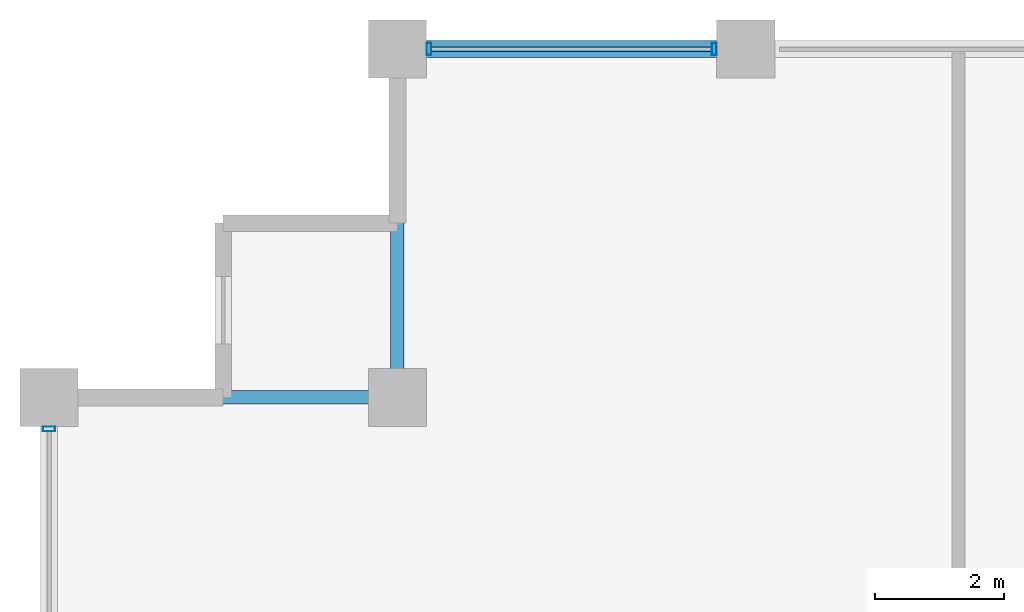
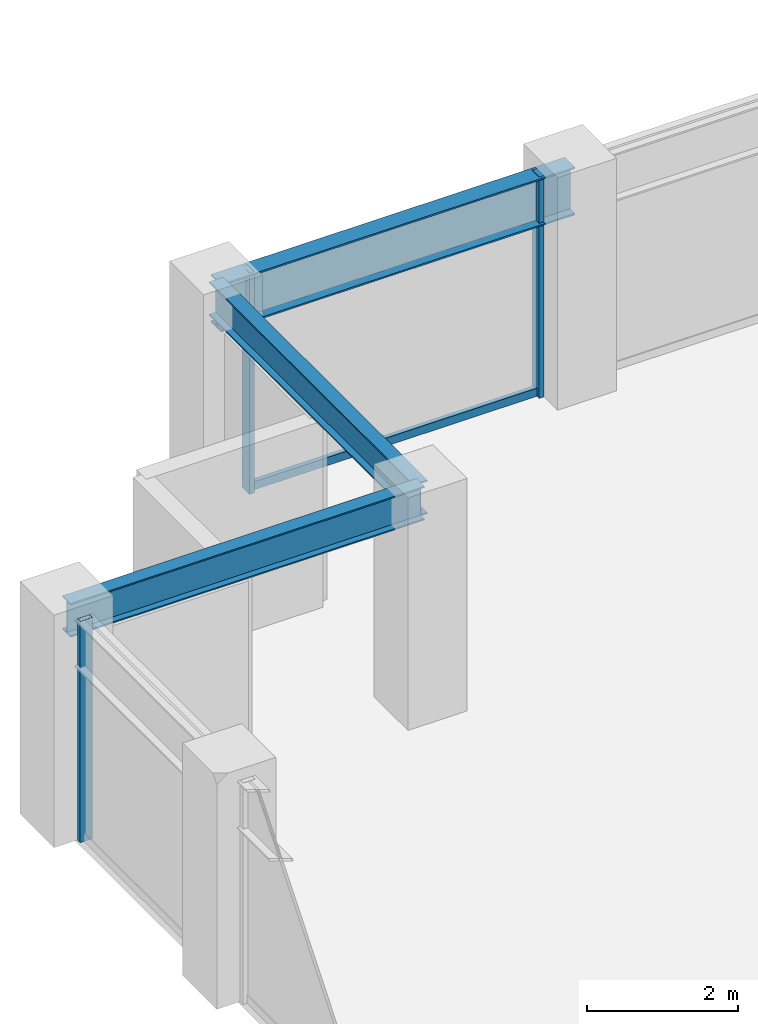
# One storey, part 18 of 32: 4 members, 3 beams, 2 elements without a shape of their own.
"""IFC4 building model written with IfcOpenShell, lengths in metres."""

from ifc_helpers import new_model, si_unit, direction, frame, origin, origin_2d, place, context, subcontext, project, spatial, hollow_rectangle, i_section, extrude, material, layer, layer_set, material_profile, profile_set, type_object, element, aggregate, save


model = new_model("IFC4")

# Units and contexts
model_context = context("Model", 3, precision=1e-05, world=origin(), true_north=direction((0.0, 1.0)))
body_context = subcontext(model_context, "Body", "Model", "MODEL_VIEW")
ifc_project = project(units=[si_unit("LENGTHUNIT", "METRE"), si_unit("AREAUNIT", "SQUARE_METRE"), si_unit("VOLUMEUNIT", "CUBIC_METRE"), si_unit("PLANEANGLEUNIT", "RADIAN"), si_unit("MASSUNIT", "GRAM", prefix="KILO")], contexts=[model_context])

# Site, building, storey
site_placement = place(None, origin())
site = spatial("IfcSite", under=ifc_project, at=site_placement, CompositionType="ELEMENT")
building_placement = place(site_placement, origin())
building = spatial("IfcBuilding", under=site, at=building_placement, Name="Surkhivell Harbour Commons", CompositionType="ELEMENT")
storey_placement = place(building_placement, frame((0.0, 0.0, 208.5)))
storey = spatial("IfcBuildingStorey", under=building, at=storey_placement, Name="L54", CompositionType="ELEMENT", Elevation=208.5)

# Beams
ifc_material_1 = material(Name="Steel S355", Category="steel")
ifc_material_profile_1 = material_profile(ifc_material_1, i_section(OverallWidth=0.2119140625, OverallDepth=0.5439453125, WebThickness=0.0126953125, FlangeThickness=0.021240234375, at=origin_2d()), Name="UB533x210x122")
ifc_profile_set_1 = profile_set([ifc_material_profile_1], Name="Steel S355")
beam_type_1 = type_object("IfcBeamType", Name="BM-GRD-533A", PredefinedType="BEAM", material=ifc_profile_set_1)
for number, where, z_axis, x_axis, name in (
    (1, (-27.0, 20.5, 3.298095703125), (1.0, 0.0, 0.0), (0.0, 1.0, 0.0), "L54 Floor Girder (-27.0,20.5)"),
    (2, (-21.60009765625, 20.5, 3.298095703125), (0.0, 1.0, 0.0), (-1.0, 0.0, 0.0), "L54 Floor Girder (-21.6,20.5)"),
):
    element("IfcBeam", number, at=place(storey_placement, frame(where, z_axis=z_axis, x_axis=x_axis)), inside=storey, type_object=beam_type_1, Name=name, PredefinedType="BEAM", context=body_context, shape_type="SweptSolid", body=[
        extrude(i_section(OverallWidth=0.2119140625, OverallDepth=0.5439453125, WebThickness=0.0126953125, FlangeThickness=0.021240234375, at=origin_2d()), origin(), (0.0, 0.0, 1.0), 5.39990234375),
    ])
ifc_material_profile_2 = material_profile(ifc_material_1, i_section(OverallWidth=0.26806640625, OverallDepth=0.77001953125, WebThickness=0.015625, FlangeThickness=0.025390625, at=origin_2d()), Name="UB762x267x197")
ifc_profile_set_2 = profile_set([ifc_material_profile_2], Name="Steel S355")
beam_type_2 = type_object("IfcBeamType", Name="BM-SPN-762", PredefinedType="SPANDREL", material=ifc_profile_set_2)
beam_placement = place(storey_placement, frame((-21.60009765625, 25.89990234375, 3.18505859375), z_axis=(1.0, 0.0, 0.0), x_axis=(0.0, 1.0, 0.0)))
element("IfcBeam", 3, at=beam_placement, inside=storey, type_object=beam_type_2, Name="L54 Tube Spandrel (-21.6,25.9)", PredefinedType="SPANDREL", context=body_context, shape_type="SweptSolid", body=[
    extrude(i_section(OverallWidth=0.26806640625, OverallDepth=0.77001953125, WebThickness=0.015625, FlangeThickness=0.025390625, at=origin_2d()), origin(), (0.0, 0.0, 1.0), 5.400146484375),
])

# Curtain wall, members
ifc_material_2 = material(Name="Anodised pale-metal aluminium and insulated glazing", Category="aluminium")
ifc_layer = layer(ifc_material_2, 0.18994140625)
ifc_layer_set = layer_set([ifc_layer], Name="Anodised pale-metal aluminium and insulated glazing")
curtain_wall_type = type_object("IfcCurtainWallType", Name="CW-SYS-Z3", PredefinedType="NOTDEFINED", material=ifc_layer_set)
curtain_wall_1_placement = place(storey_placement, origin())
curtain_wall_1 = element("IfcCurtainWall", 4, at=curtain_wall_1_placement, inside=storey, type_object=curtain_wall_type, Name="L54 Curtain Wall CW-L54-E07S2", PredefinedType="NOTDEFINED")
ifc_material_3 = material(Name="Anodised pale-metal aluminium alloy 6063-T6", Category="aluminium")
ifc_material_profile_3 = material_profile(ifc_material_3, hollow_rectangle(XDim=0.074951171875, YDim=0.18994140625, WallThickness=0.00390625, at=origin_2d()), Name="ALU-MULL-75x190")
ifc_profile_set_3 = profile_set([ifc_material_profile_3], Name="Anodised pale-metal aluminium alloy 6063-T6")
member_type_1 = type_object("IfcMemberType", Name="CWM-190", PredefinedType="MULLION", material=ifc_profile_set_3)
member_1_placement = place(storey_placement, frame((-16.689453125, 25.89990234375, 0.0), z_axis=(0.0, 0.0, 1.0), x_axis=(-1.0, 0.0, 0.0)))
member_1 = element("IfcMember", 5, at=member_1_placement, type_object=member_type_1, Name="CW-Z3 mullion 3", PredefinedType="MULLION", context=body_context, shape_type="SweptSolid", body=[
    extrude(hollow_rectangle(XDim=0.074951171875, YDim=0.18994140625, WallThickness=0.00390625, at=origin_2d()), origin(), (0.0, 0.0, 1.0), 3.570068359375),
])
member_2_placement = place(storey_placement, frame((-21.110595703125, 25.89990234375, 0.0), z_axis=(0.0, 0.0, 1.0), x_axis=(-1.0, 0.0, 0.0)))
member_2 = element("IfcMember", 6, at=member_2_placement, type_object=member_type_1, Name="CW-Z3 mullion 4", PredefinedType="MULLION", context=body_context, shape_type="SweptSolid", body=[
    extrude(hollow_rectangle(XDim=0.074951171875, YDim=0.18994140625, WallThickness=0.00390625, at=origin_2d()), origin(), (0.0, 0.0, 1.0), 3.570068359375),
])

# Curtain wall, member
curtain_wall_2_placement = place(storey_placement, origin())
curtain_wall_2 = element("IfcCurtainWall", 7, at=curtain_wall_2_placement, inside=storey, type_object=curtain_wall_type, Name="L54 Curtain Wall CW-L54-E12S1", PredefinedType="NOTDEFINED")
member_3_placement = place(storey_placement, frame((-27.0, 20.010498046875, 0.0), z_axis=(0.0, 0.0, 1.0), x_axis=(0.0, -1.0, 0.0)))
member_3 = element("IfcMember", 8, at=member_3_placement, type_object=member_type_1, Name="CW-Z3 mullion 1", PredefinedType="MULLION", context=body_context, shape_type="SweptSolid", body=[
    extrude(hollow_rectangle(XDim=0.074951171875, YDim=0.18994140625, WallThickness=0.00390625, at=origin_2d()), origin(), (0.0, 0.0, 1.0), 3.570068359375),
])
aggregate(curtain_wall_2, [member_3])

# Member
ifc_material_4 = material(Name="Champagne anodised aluminium alloy 6063-T6", Category="aluminium")
ifc_material_profile_4 = material_profile(ifc_material_4, hollow_rectangle(XDim=0.070068359375, YDim=0.1298828125, WallThickness=0.00341796875, at=origin_2d()), Name="ALU-TRAN-70x130")
ifc_profile_set_4 = profile_set([ifc_material_profile_4], Name="Champagne anodised aluminium alloy 6063-T6")
member_type_2 = type_object("IfcMemberType", Name="CWT-130", PredefinedType="USERDEFINED", material=ifc_profile_set_4)
member_4_placement = place(storey_placement, frame((-16.72705078125, 25.89990234375, 0.06494140625), z_axis=(-1.0, 0.0, 0.0), x_axis=(0.0, -1.0, 0.0)))
member_4 = element("IfcMember", 9, at=member_4_placement, type_object=member_type_2, Name="CW-Z3 transom 3.1", ObjectType="TRANSOM", PredefinedType="USERDEFINED", context=body_context, shape_type="SweptSolid", body=[
    extrude(hollow_rectangle(XDim=0.070068359375, YDim=0.1298828125, WallThickness=0.00341796875, at=origin_2d()), origin(), (0.0, 0.0, 1.0), 4.345947265625),
])

aggregate(curtain_wall_1, [member_1, member_2, member_4])

save(model, "model.ifc")
